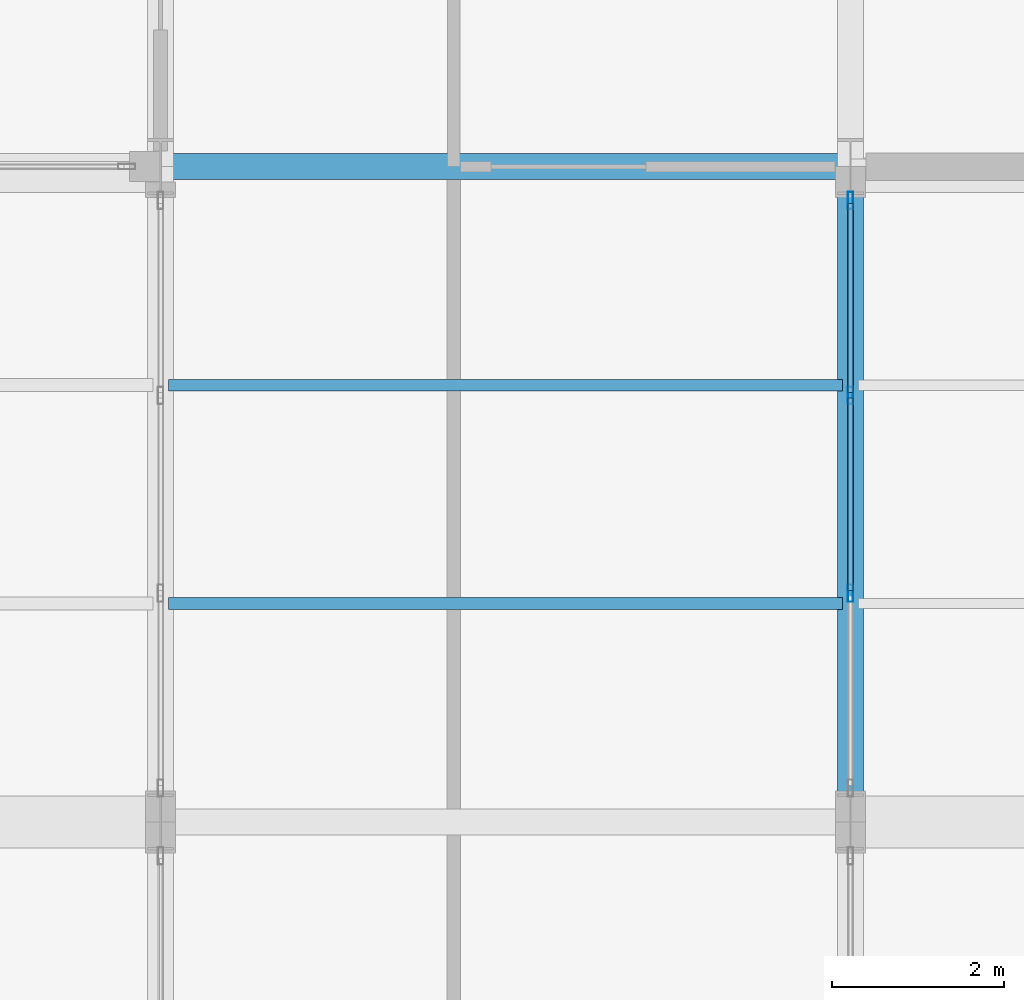
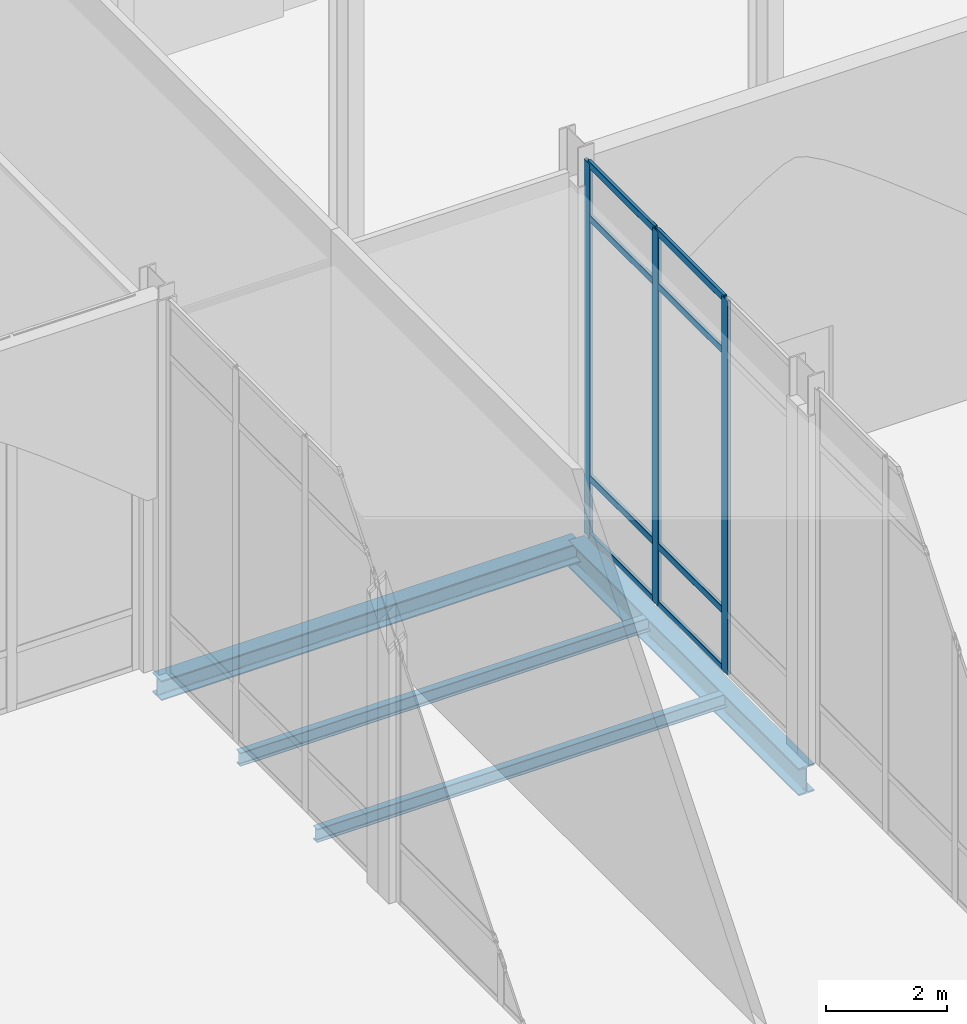
# One storey, part 76 of 176: 11 members, 4 beams, 1 element without a shape of its own.
"""IFC4 building model written with IfcOpenShell, lengths in metres."""

import ifcopenshell
import ifcopenshell.guid

model = None  # the IFC model being written
_history = None  # IfcOwnerHistory: only IFC2X3 demands one
_inside = {}  # id of a spatial element -> (the spatial element, [elements in it])
_under = {}  # id of a project, library or spatial element -> (it, [spatial elements below it])
_declared = {}  # id of a project -> (the project, [libraries it declares])
_typed = {}  # id of a type object -> (the type object, [elements of that type])
_made_of = {}  # id of a material, layer set ... -> (it, [elements and type objects made of it])


def new_model(schema):
    """Start an empty IFC model of exactly this schema.

    Asked for "IFC4X3", IfcOpenShell would pick the latest addendum, in which some entities
    have other attributes; the version numbers below select the first issue.
    IFC2X3 requires an IfcOwnerHistory on every rooted entity: one is made here for all.
    """
    global model, _history
    if schema == "IFC4X3":
        model = ifcopenshell.file(schema_version=(4, 3, 0, 0))
    else:
        model = ifcopenshell.file(schema=schema)
    _inside.clear()
    _under.clear()
    _declared.clear()
    _typed.clear()
    _made_of.clear()
    _history = None
    if model.schema == "IFC2X3":
        org = make("IfcOrganization", Name="unknown")
        user = make(
            "IfcPersonAndOrganization",
            ThePerson=make("IfcPerson", FamilyName="unknown"),
            TheOrganization=org,
        )
        app = make(
            "IfcApplication",
            ApplicationDeveloper=org,
            Version="unknown",
            ApplicationFullName="unknown",
            ApplicationIdentifier="unknown",
        )
        _history = make(
            "IfcOwnerHistory",
            OwningUser=user,
            OwningApplication=app,
            ChangeAction="ADDED",
            CreationDate=0,
        )
    return model


def make(cls, **values):
    """One entity of the class cls with the attributes given. An attribute that is None is left unset."""
    return model.create_entity(
        cls, **{name: value for name, value in values.items() if value is not None}
    )


def rooted(cls, **values):
    """An entity with a GlobalId (a new one), such as an element, a storey or a relation."""
    return make(cls, GlobalId=ifcopenshell.guid.new(), OwnerHistory=_history, **values)


def si_unit(unit_type, name, prefix=None):
    """IfcSIUnit, for example si_unit("LENGTHUNIT", "METRE", prefix="MILLI")."""
    return make("IfcSIUnit", UnitType=unit_type, Prefix=prefix, Name=name)


def assignment(units):
    """IfcUnitAssignment: the units of a project."""
    return None if units is None else make("IfcUnitAssignment", Units=units)


def point(xyz):
    """IfcCartesianPoint."""
    return None if xyz is None else make("IfcCartesianPoint", Coordinates=xyz)


def direction(xyz):
    """IfcDirection."""
    return None if xyz is None else make("IfcDirection", DirectionRatios=xyz)


def frame(location, z_axis=None, x_axis=None):
    """IfcAxis2Placement3D, a coordinate frame: its origin and axes. An axis left out is left unset."""
    return make(
        "IfcAxis2Placement3D",
        Location=point(location),
        Axis=direction(z_axis),
        RefDirection=direction(x_axis),
    )


def frame_2d(location, x_axis=None):
    """IfcAxis2Placement2D, a coordinate frame in the plane: its origin and x axis."""
    return make(
        "IfcAxis2Placement2D", Location=point(location), RefDirection=direction(x_axis)
    )


def origin():
    """The frame at (0, 0, 0) with its axes left unset."""
    return frame((0.0, 0.0, 0.0))


def origin_2d():
    """The frame at (0, 0) in the plane with its x axis left unset."""
    return frame_2d((0.0, 0.0))


def place(relative_to, where):
    """IfcLocalPlacement: puts the frame where relative to a parent placement (None: the world)."""
    return make(
        "IfcLocalPlacement", PlacementRelTo=relative_to, RelativePlacement=where
    )


def context(
    kind, dimensions, precision=None, world=None, true_north=None, identifier=None
):
    """IfcGeometricRepresentationContext, for example the 3D "Model" context."""
    return make(
        "IfcGeometricRepresentationContext",
        ContextIdentifier=identifier,
        ContextType=kind,
        CoordinateSpaceDimension=dimensions,
        Precision=precision,
        WorldCoordinateSystem=world,
        TrueNorth=true_north,
    )


def subcontext(parent, identifier, kind, view, scale=None):
    """IfcGeometricRepresentationSubContext, for example "Body" below "Model"."""
    return make(
        "IfcGeometricRepresentationSubContext",
        ContextIdentifier=identifier,
        ContextType=kind,
        ParentContext=parent,
        TargetScale=scale,
        TargetView=view,
    )


def project(units=None, contexts=None):
    """IfcProject with its units and contexts."""
    return rooted(
        "IfcProject",
        Name="project",
        RepresentationContexts=contexts,
        UnitsInContext=assignment(units),
    )


def spatial(cls, under=None, at=None, **own):
    """A site, building, storey or space (cls), placed at a placement, below another one or the project."""
    s = rooted(cls, ObjectPlacement=at, **own)
    if under is not None:
        _under.setdefault(under.id(), (under, []))[1].append(s)
    return s


def profile(cls, at=None, kind="AREA", **sizes):
    """A parametric profile (cls). Its sizes go by their IFC names, for example OverallWidth=200.0."""
    return make(cls, ProfileType=kind, Position=at, **sizes)


def hollow_rectangle(**sizes):
    """IfcRectangleHollowProfileDef."""
    return profile("IfcRectangleHollowProfileDef", **sizes)


def i_section(**sizes):
    """IfcIShapeProfileDef."""
    return profile("IfcIShapeProfileDef", **sizes)


def extrude(swept, where, along, depth):
    """IfcExtrudedAreaSolid: the profile swept, set in the frame where, extruded along a direction by depth."""
    return make(
        "IfcExtrudedAreaSolid",
        SweptArea=swept,
        Position=where,
        ExtrudedDirection=direction(along),
        Depth=depth,
    )


def shape(context_of_items, identifier, shape_type, items):
    """IfcShapeRepresentation: the items that make up one representation, for example the "Body"."""
    return make(
        "IfcShapeRepresentation",
        ContextOfItems=context_of_items,
        RepresentationIdentifier=identifier,
        RepresentationType=shape_type,
        Items=items,
    )


def material(Name=None, Category=None):
    """IfcMaterial."""
    return make("IfcMaterial", Name=Name, Category=Category)


def layer(
    of_material, thickness, ventilated=None, Name=None, Category=None, Priority=None
):
    """IfcMaterialLayer: one layer of a wall or slab, of a material (None: an air gap)."""
    return make(
        "IfcMaterialLayer",
        Material=of_material,
        LayerThickness=thickness,
        IsVentilated=ventilated,
        Name=Name,
        Category=Category,
        Priority=Priority,
    )


def layer_set(layers, Name=None):
    """IfcMaterialLayerSet."""
    return make("IfcMaterialLayerSet", MaterialLayers=layers, LayerSetName=Name)


def material_profile(
    of_material, cross_section, Name=None, Category=None, Priority=None
):
    """IfcMaterialProfile: a cross section and its material."""
    return make(
        "IfcMaterialProfile",
        Name=Name,
        Material=of_material,
        Profile=cross_section,
        Priority=Priority,
        Category=Category,
    )


def profile_set(profiles, Name=None, composite=None):
    """IfcMaterialProfileSet."""
    return make(
        "IfcMaterialProfileSet",
        Name=Name,
        MaterialProfiles=profiles,
        CompositeProfile=composite,
    )


def made_of(thing, what):
    """Note that an element or type object is made of a material, layer set ...; save() writes the relation."""
    if what is not None:
        _made_of.setdefault(what.id(), (what, []))[1].append(thing)
    return thing


def type_object(cls, material=None, **own):
    """A type object (cls), such as IfcWallType, which elements share."""
    return made_of(rooted(cls, **own), material)


def element(
    cls,
    number,
    at=None,
    inside=None,
    cuts=None,
    type_object=None,
    material=None,
    context=None,
    identifier="Body",
    shape_type=None,
    held_by="IfcProductDefinitionShape",
    body=None,
    shapes=None,
    **own,
):
    """One element of the class cls, such as IfcWall. Its Tag is "e" and its number.

    at: its placement. inside: the storey or other place that contains it. cuts: it is an
    opening in that element (IfcRelVoidsElement). A single representation is given by context,
    identifier, shape_type and body (its items); several are given by shapes. held_by: the class
    of the entity that holds the representations. save() writes the other relations.
    """
    e = rooted(cls, Tag="e%d" % number, ObjectPlacement=at, **own)
    if body is not None:
        shapes = [shape(context, identifier, shape_type, body)]
    if shapes is not None:
        e.Representation = make(held_by, Representations=shapes)
    if inside is not None:
        _inside.setdefault(inside.id(), (inside, []))[1].append(e)
    if cuts is not None:
        rooted(
            "IfcRelVoidsElement", RelatingBuildingElement=cuts, RelatedOpeningElement=e
        )
    if type_object is not None:
        _typed.setdefault(type_object.id(), (type_object, []))[1].append(e)
    return made_of(e, material)


def aggregate(whole, parts):
    """IfcRelAggregates: a whole, such as a stair, and the parts it consists of."""
    return rooted("IfcRelAggregates", RelatingObject=whole, RelatedObjects=parts)


def save(model, path):
    """Write the relations noted so far, then the file.

    IfcRelAggregates (storeys below a building ...), IfcRelContainedInSpatialStructure (elements
    in a storey), IfcRelDefinesByType, IfcRelAssociatesMaterial and IfcRelDeclares: one each for
    every whole, place, type object, material and project.
    """
    for whole, parts in _under.values():
        aggregate(whole, parts)
    for where, things in _inside.values():
        rooted(
            "IfcRelContainedInSpatialStructure",
            RelatedElements=things,
            RelatingStructure=where,
        )
    for kind, things in _typed.values():
        rooted("IfcRelDefinesByType", RelatedObjects=things, RelatingType=kind)
    for what, things in _made_of.values():
        rooted("IfcRelAssociatesMaterial", RelatedObjects=things, RelatingMaterial=what)
    for by, libraries in _declared.values():
        rooted("IfcRelDeclares", RelatingContext=by, RelatedDefinitions=libraries)
    model.write(path)


model = new_model("IFC4")

# Units and contexts
model_context = context("Model", 3, precision=1e-05, world=origin(), true_north=direction((0.0, 1.0)))
body_context = subcontext(model_context, "Body", "Model", "MODEL_VIEW")
ifc_project = project(units=[si_unit("LENGTHUNIT", "METRE"), si_unit("AREAUNIT", "SQUARE_METRE"), si_unit("VOLUMEUNIT", "CUBIC_METRE"), si_unit("PLANEANGLEUNIT", "RADIAN"), si_unit("MASSUNIT", "GRAM", prefix="KILO")], contexts=[model_context])

# Site, building, storey
site_placement = place(None, origin())
site = spatial("IfcSite", under=ifc_project, at=site_placement, CompositionType="ELEMENT")
building_placement = place(site_placement, origin())
building = spatial("IfcBuilding", under=site, at=building_placement, Name="Vekula Escarpment Museum", CompositionType="ELEMENT")
storey_placement = place(building_placement, origin())
storey = spatial("IfcBuildingStorey", under=building, at=storey_placement, Name="L01", CompositionType="ELEMENT", Elevation=0.0)

# Beams
ifc_material_1 = material(Name="Steel S355", Category="steel")
ifc_material_profile_1 = material_profile(ifc_material_1, i_section(OverallWidth=0.300048828125, OverallDepth=0.39990234375, WebThickness=0.013427734375, FlangeThickness=0.02392578125, FilletRadius=0.027099609375, at=origin_2d()), Name="HEB 400")
ifc_profile_set_1 = profile_set([ifc_material_profile_1], Name="Steel S355")
beam_type_1 = type_object("IfcBeamType", Name="BM-GIRD-HEB400", PredefinedType="BEAM", material=ifc_profile_set_1)
beam_1_placement = place(storey_placement, frame((94.0, 120.800048828125, -0.5), z_axis=(1.0, 0.0, 0.0), x_axis=(0.0, 1.0, 0.0)))
element("IfcBeam", 1, at=beam_1_placement, inside=storey, type_object=beam_type_1, Name="Beam X L01 0342", PredefinedType="BEAM", context=body_context, shape_type="SweptSolid", body=[
    extrude(i_section(OverallWidth=0.300048828125, OverallDepth=0.39990234375, WebThickness=0.013427734375, FlangeThickness=0.02392578125, FilletRadius=0.027099609375, at=origin_2d()), origin(), (0.0, 0.0, 1.0), 8.0),
])
ifc_material_2 = material(Name="Steel S355", Category="steel")
ifc_material_profile_2 = material_profile(ifc_material_2, i_section(OverallWidth=0.300048828125, OverallDepth=0.550048828125, WebThickness=0.014892578125, FlangeThickness=0.029052734375, FilletRadius=0.027099609375, at=origin_2d()), Name="HEB 550")
ifc_profile_set_2 = profile_set([ifc_material_profile_2], Name="Steel S355")
beam_type_2 = type_object("IfcBeamType", Name="BM-GIRD-HEB550", PredefinedType="BEAM", material=ifc_profile_set_2)
beam_2_placement = place(storey_placement, frame((102.0, 113.199951171875, -0.574951171875), z_axis=(0.0, 1.0, 0.0), x_axis=(-1.0, 0.0, 0.0)))
element("IfcBeam", 2, at=beam_2_placement, inside=storey, type_object=beam_type_2, Name="Beam Y L01 0609", PredefinedType="BEAM", context=body_context, shape_type="SweptSolid", body=[
    extrude(i_section(OverallWidth=0.300048828125, OverallDepth=0.550048828125, WebThickness=0.014892578125, FlangeThickness=0.029052734375, FilletRadius=0.027099609375, at=origin_2d()), origin(), (0.0, 0.0, 1.0), 7.60009765625),
])
ifc_material_3 = material(Name="Steel S355", Category="steel")
ifc_material_profile_3 = material_profile(ifc_material_3, i_section(OverallWidth=0.135009765625, OverallDepth=0.27001953125, WebThickness=0.006591796875, FlangeThickness=0.01025390625, FilletRadius=0.014892578125, at=origin_2d()), Name="IPE 270")
ifc_profile_set_3 = profile_set([ifc_material_profile_3], Name="Steel S355")
beam_type_3 = type_object("IfcBeamType", Name="BM-JST-IPE270", PredefinedType="JOIST", material=ifc_profile_set_3)
for number, where, z_axis, x_axis, name in (
    (3, (94.090087890625, 115.7333984375, -0.43505859375), (1.0, 0.0, 0.0), (0.0, 1.0, 0.0), "Secondary Joist L01 0314"),
    (4, (94.090087890625, 118.2666015625, -0.43505859375), (1.0, 0.0, 0.0), (0.0, 1.0, 0.0), "Secondary Joist L01 0315"),
):
    element("IfcBeam", number, at=place(storey_placement, frame(where, z_axis=z_axis, x_axis=x_axis)), inside=storey, type_object=beam_type_3, Name=name, PredefinedType="JOIST", context=body_context, shape_type="SweptSolid", body=[
        extrude(i_section(OverallWidth=0.135009765625, OverallDepth=0.27001953125, WebThickness=0.006591796875, FlangeThickness=0.01025390625, FilletRadius=0.014892578125, at=origin_2d()), origin(), (0.0, 0.0, 1.0), 7.81982421875),
    ])

# Curtain wall, members
ifc_material_4 = material(Name="Aluminium thermally broken framing", Category="aluminium")
ifc_layer = layer(ifc_material_4, 0.159912109375)
ifc_layer_set = layer_set([ifc_layer], Name="Aluminium thermally broken framing")
curtain_wall_type = type_object("IfcCurtainWallType", Name="CW-SYS-01", PredefinedType="NOTDEFINED", material=ifc_layer_set)
curtain_wall_placement = place(storey_placement, origin())
curtain_wall = element("IfcCurtainWall", 5, at=curtain_wall_placement, inside=storey, type_object=curtain_wall_type, Name="Curtain Wall CW-L01-031", PredefinedType="NOTDEFINED")
ifc_material_5 = material(Name="Aluminium anodized mullion", Category="aluminium")
ifc_material_profile_4 = material_profile(ifc_material_5, hollow_rectangle(XDim=0.06494140625, YDim=0.199951171875, WallThickness=0.00390625, InnerFilletRadius=0.00390625, OuterFilletRadius=0.008056640625, at=origin_2d()), Name="ALU 200x65x4")
ifc_profile_set_4 = profile_set([ifc_material_profile_4], Name="Aluminium anodized mullion")
member_type_1 = type_object("IfcMemberType", Name="CW-MUL-200", PredefinedType="MULLION", material=ifc_profile_set_4)
member_1_placement = place(storey_placement, frame((102.0, 115.853271484375, 0.0), z_axis=(0.0, 0.0, 1.0), x_axis=(-1.0, 0.0, 0.0)))
member_1 = element("IfcMember", 6, at=member_1_placement, type_object=member_type_1, Name="CW-01 mullion 2", PredefinedType="MULLION", context=body_context, shape_type="SweptSolid", body=[
    extrude(hollow_rectangle(XDim=0.06494140625, YDim=0.199951171875, WallThickness=0.00390625, InnerFilletRadius=0.00390625, OuterFilletRadius=0.008056640625, at=origin_2d()), origin(), (0.0, 0.0, 1.0), 7.5400390625),
])
member_2_placement = place(storey_placement, frame((102.0, 118.146728515625, 0.0), z_axis=(0.0, 0.0, 1.0), x_axis=(-1.0, 0.0, 0.0)))
member_2 = element("IfcMember", 7, at=member_2_placement, type_object=member_type_1, Name="CW-01 mullion 3", PredefinedType="MULLION", context=body_context, shape_type="SweptSolid", body=[
    extrude(hollow_rectangle(XDim=0.06494140625, YDim=0.199951171875, WallThickness=0.00390625, InnerFilletRadius=0.00390625, OuterFilletRadius=0.008056640625, at=origin_2d()), origin(), (0.0, 0.0, 1.0), 7.5400390625),
])
member_3_placement = place(storey_placement, frame((102.0, 120.407470703125, 0.0), z_axis=(0.0, 0.0, 1.0), x_axis=(-1.0, 0.0, 0.0)))
member_3 = element("IfcMember", 8, at=member_3_placement, type_object=member_type_1, Name="CW-01 mullion 4", PredefinedType="MULLION", context=body_context, shape_type="SweptSolid", body=[
    extrude(hollow_rectangle(XDim=0.06494140625, YDim=0.199951171875, WallThickness=0.00390625, InnerFilletRadius=0.00390625, OuterFilletRadius=0.008056640625, at=origin_2d()), origin(), (0.0, 0.0, 1.0), 7.5400390625),
])
ifc_material_6 = material(Name="Aluminium anodized transom", Category="aluminium")
ifc_material_profile_5 = material_profile(ifc_material_6, hollow_rectangle(XDim=0.06494140625, YDim=0.139892578125, WallThickness=0.00390625, InnerFilletRadius=0.00390625, OuterFilletRadius=0.008056640625, at=origin_2d()), Name="ALU 140x65x4")
ifc_profile_set_5 = profile_set([ifc_material_profile_5], Name="Aluminium anodized transom")
member_type_2 = type_object("IfcMemberType", Name="CW-TRN-140", PredefinedType="USERDEFINED", material=ifc_profile_set_5)
member_4_placement = place(storey_placement, frame((102.0, 115.8857421875, 0.032470703125), z_axis=(0.0, 1.0, 0.0), x_axis=(-1.0, 0.0, 0.0)))
member_4 = element("IfcMember", 9, at=member_4_placement, type_object=member_type_2, Name="CW-01 transom 2.1", ObjectType="TRANSOM", PredefinedType="USERDEFINED", context=body_context, shape_type="SweptSolid", body=[
    extrude(hollow_rectangle(XDim=0.06494140625, YDim=0.139892578125, WallThickness=0.00390625, InnerFilletRadius=0.00390625, OuterFilletRadius=0.008056640625, at=origin_2d()), origin(), (0.0, 0.0, 1.0), 2.228515625),
])
member_5_placement = place(storey_placement, frame((102.0, 115.8857421875, 1.199951171875), z_axis=(0.0, 1.0, 0.0), x_axis=(-1.0, 0.0, 0.0)))
member_5 = element("IfcMember", 10, at=member_5_placement, type_object=member_type_2, Name="CW-01 transom 2.2", ObjectType="TRANSOM", PredefinedType="USERDEFINED", context=body_context, shape_type="SweptSolid", body=[
    extrude(hollow_rectangle(XDim=0.06494140625, YDim=0.139892578125, WallThickness=0.00390625, InnerFilletRadius=0.00390625, OuterFilletRadius=0.008056640625, at=origin_2d()), origin(), (0.0, 0.0, 1.0), 2.228515625),
])
member_6_placement = place(storey_placement, frame((102.0, 115.8857421875, 6.43994140625), z_axis=(0.0, 1.0, 0.0), x_axis=(-1.0, 0.0, 0.0)))
member_6 = element("IfcMember", 11, at=member_6_placement, type_object=member_type_2, Name="CW-01 transom 2.3", ObjectType="TRANSOM", PredefinedType="USERDEFINED", context=body_context, shape_type="SweptSolid", body=[
    extrude(hollow_rectangle(XDim=0.06494140625, YDim=0.139892578125, WallThickness=0.00390625, InnerFilletRadius=0.00390625, OuterFilletRadius=0.008056640625, at=origin_2d()), origin(), (0.0, 0.0, 1.0), 2.228515625),
])
member_7_placement = place(storey_placement, frame((102.0, 115.8857421875, 7.507568359375), z_axis=(0.0, 1.0, 0.0), x_axis=(-1.0, 0.0, 0.0)))
member_7 = element("IfcMember", 12, at=member_7_placement, type_object=member_type_2, Name="CW-01 transom 2.4", ObjectType="TRANSOM", PredefinedType="USERDEFINED", context=body_context, shape_type="SweptSolid", body=[
    extrude(hollow_rectangle(XDim=0.06494140625, YDim=0.139892578125, WallThickness=0.00390625, InnerFilletRadius=0.00390625, OuterFilletRadius=0.008056640625, at=origin_2d()), origin(), (0.0, 0.0, 1.0), 2.228515625),
])
member_8_placement = place(storey_placement, frame((102.0, 118.17919921875, 0.032470703125), z_axis=(0.0, 1.0, 0.0), x_axis=(-1.0, 0.0, 0.0)))
member_8 = element("IfcMember", 13, at=member_8_placement, type_object=member_type_2, Name="CW-01 transom 3.1", ObjectType="TRANSOM", PredefinedType="USERDEFINED", context=body_context, shape_type="SweptSolid", body=[
    extrude(hollow_rectangle(XDim=0.06494140625, YDim=0.139892578125, WallThickness=0.00390625, InnerFilletRadius=0.00390625, OuterFilletRadius=0.008056640625, at=origin_2d()), origin(), (0.0, 0.0, 1.0), 2.19580078125),
])
member_9_placement = place(storey_placement, frame((102.0, 118.17919921875, 1.199951171875), z_axis=(0.0, 1.0, 0.0), x_axis=(-1.0, 0.0, 0.0)))
member_9 = element("IfcMember", 14, at=member_9_placement, type_object=member_type_2, Name="CW-01 transom 3.2", ObjectType="TRANSOM", PredefinedType="USERDEFINED", context=body_context, shape_type="SweptSolid", body=[
    extrude(hollow_rectangle(XDim=0.06494140625, YDim=0.139892578125, WallThickness=0.00390625, InnerFilletRadius=0.00390625, OuterFilletRadius=0.008056640625, at=origin_2d()), origin(), (0.0, 0.0, 1.0), 2.19580078125),
])
member_10_placement = place(storey_placement, frame((102.0, 118.17919921875, 6.43994140625), z_axis=(0.0, 1.0, 0.0), x_axis=(-1.0, 0.0, 0.0)))
member_10 = element("IfcMember", 15, at=member_10_placement, type_object=member_type_2, Name="CW-01 transom 3.3", ObjectType="TRANSOM", PredefinedType="USERDEFINED", context=body_context, shape_type="SweptSolid", body=[
    extrude(hollow_rectangle(XDim=0.06494140625, YDim=0.139892578125, WallThickness=0.00390625, InnerFilletRadius=0.00390625, OuterFilletRadius=0.008056640625, at=origin_2d()), origin(), (0.0, 0.0, 1.0), 2.19580078125),
])
member_11_placement = place(storey_placement, frame((102.0, 118.17919921875, 7.507568359375), z_axis=(0.0, 1.0, 0.0), x_axis=(-1.0, 0.0, 0.0)))
member_11 = element("IfcMember", 16, at=member_11_placement, type_object=member_type_2, Name="CW-01 transom 3.4", ObjectType="TRANSOM", PredefinedType="USERDEFINED", context=body_context, shape_type="SweptSolid", body=[
    extrude(hollow_rectangle(XDim=0.06494140625, YDim=0.139892578125, WallThickness=0.00390625, InnerFilletRadius=0.00390625, OuterFilletRadius=0.008056640625, at=origin_2d()), origin(), (0.0, 0.0, 1.0), 2.19580078125),
])
aggregate(curtain_wall, [member_1, member_2, member_3, member_4, member_5, member_6, member_7, member_8, member_9, member_10, member_11])

save(model, "model.ifc")
